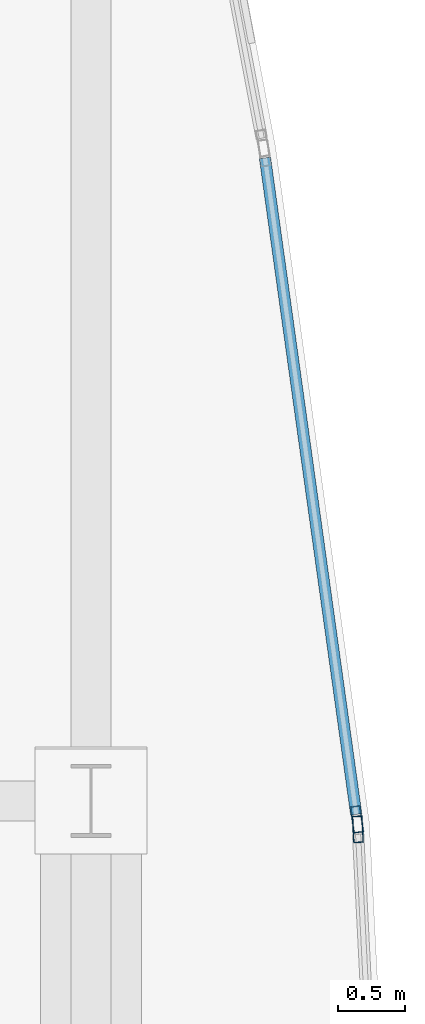
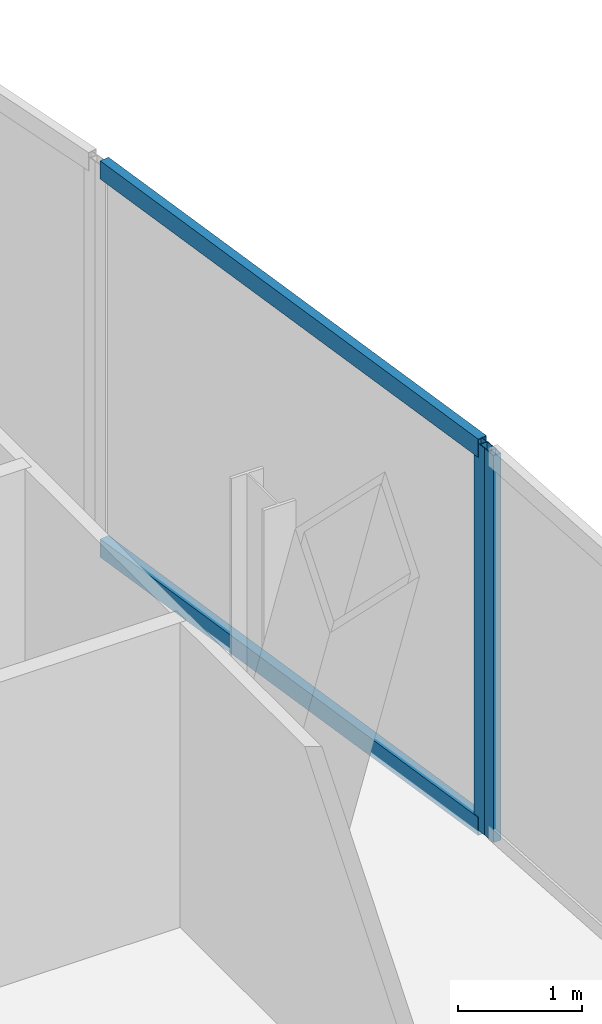
# One storey, part 25 of 37: 4 members, 2 elements without a shape of their own.
"""IFC4 building model written with IfcOpenShell, lengths in metres."""

from ifc_helpers import new_model, si_unit, direction, frame, origin, origin_2d, place, context, subcontext, project, spatial, hollow_rectangle, extrude, material, material_profile, profile_set, type_object, element, aggregate, save


model = new_model("IFC4")

# Units and contexts
model_context = context("Model", 3, precision=1e-05, world=origin(), true_north=direction((0.0, 1.0)))
body_context = subcontext(model_context, "Body", "Model", "MODEL_VIEW")
ifc_project = project(units=[si_unit("LENGTHUNIT", "METRE"), si_unit("AREAUNIT", "SQUARE_METRE"), si_unit("VOLUMEUNIT", "CUBIC_METRE"), si_unit("PLANEANGLEUNIT", "RADIAN"), si_unit("MASSUNIT", "GRAM", prefix="KILO")], contexts=[model_context])

# Site, building, storey
site_placement = place(None, origin())
site = spatial("IfcSite", under=ifc_project, at=site_placement, CompositionType="ELEMENT")
building_placement = place(site_placement, origin())
building = spatial("IfcBuilding", under=site, at=building_placement, Name="Khoronbel Lancet Exchange", CompositionType="ELEMENT")
storey_placement = place(building_placement, frame((0.0, 0.0, 61.800048828125)))
storey = spatial("IfcBuildingStorey", under=building, at=storey_placement, Name="L14", CompositionType="ELEMENT", Elevation=61.800048828125)

# Curtain wall, member
ifc_material_1 = material(Name="Low-E Solar Control Insulating Glass", Category="glass")
curtain_wall_type = type_object("IfcCurtainWallType", Name="CW-4", PredefinedType="NOTDEFINED", material=ifc_material_1)
curtain_wall_1_placement = place(storey_placement, origin())
curtain_wall_1 = element("IfcCurtainWall", 1, at=curtain_wall_1_placement, inside=storey, type_object=curtain_wall_type, Name="Unitised curtain wall CW-L14-E18", PredefinedType="NOTDEFINED")
ifc_material_2 = material(Name="Bronze-Anodised Aluminium 6063-T6", Category="aluminium")
ifc_material_profile_1 = material_profile(ifc_material_2, hollow_rectangle(XDim=0.074951171875, YDim=0.199951171875, WallThickness=0.0048828125, at=origin_2d()), Name="ALU MULLION 75x200")
ifc_profile_set_1 = profile_set([ifc_material_profile_1], Name="Bronze-Anodised Aluminium 6063-T6")
member_type_1 = type_object("IfcMemberType", Name="MEM-CWM2", PredefinedType="MULLION", material=ifc_profile_set_1)
member_1_placement = place(storey_placement, frame((73.626953125, 35.56201171875, 0.0), z_axis=(0.0, 0.0, 1.0), x_axis=(0.9904784605, 0.137667785939, 0.0)))
member_1 = element("IfcMember", 2, at=member_1_placement, type_object=member_type_1, Name="CW4 mullion 2", PredefinedType="MULLION", context=body_context, shape_type="SweptSolid", body=[
    extrude(hollow_rectangle(XDim=0.074951171875, YDim=0.199951171875, WallThickness=0.0048828125, at=origin_2d()), origin(), (0.0, 0.0, 1.0), 3.820068359375),
])

curtain_wall_2_placement = place(storey_placement, origin())
curtain_wall_2 = element("IfcCurtainWall", 3, at=curtain_wall_2_placement, inside=storey, type_object=curtain_wall_type, Name="Unitised curtain wall CW-L14-E19", PredefinedType="NOTDEFINED")
member_2_placement = place(storey_placement, frame((73.634033203125, 35.4873046875, 0.0), z_axis=(0.0, 0.0, 1.0), x_axis=(0.998708178713, 0.050813125988, 0.0)))
member_2 = element("IfcMember", 4, at=member_2_placement, type_object=member_type_1, Name="CW4 mullion 1", PredefinedType="MULLION", context=body_context, shape_type="SweptSolid", body=[
    extrude(hollow_rectangle(XDim=0.074951171875, YDim=0.199951171875, WallThickness=0.0048828125, at=origin_2d()), origin(), (0.0, 0.0, 1.0), 3.820068359375),
])
aggregate(curtain_wall_2, [member_2])

# Member
ifc_material_profile_2 = material_profile(ifc_material_2, hollow_rectangle(XDim=0.0849609375, YDim=0.179931640625, WallThickness=0.0048828125, at=origin_2d()), Name="ALU TRANSOM 85x180")
ifc_profile_set_2 = profile_set([ifc_material_profile_2], Name="Bronze-Anodised Aluminium 6063-T6")
member_type_2 = type_object("IfcMemberType", Name="MEM-CWT1", PredefinedType="USERDEFINED", material=ifc_profile_set_2)
member_3_placement = place(storey_placement, frame((72.936767578125, 40.52783203125, 0.04248046875), z_axis=(0.137669987202, -0.990478154541, 0.0), x_axis=(0.990478154541, 0.137669987202, 0.0)))
member_3 = element("IfcMember", 5, at=member_3_placement, type_object=member_type_2, Name="CW4 transom 1.1", ObjectType="TRANSOM", PredefinedType="USERDEFINED", context=body_context, shape_type="SweptSolid", body=[
    extrude(hollow_rectangle(XDim=0.0849609375, YDim=0.179931640625, WallThickness=0.0048828125, at=origin_2d()), origin(), (0.0, 0.0, 1.0), 4.97607421875),
])

member_4_placement = place(storey_placement, frame((72.936767578125, 40.52783203125, 3.77734375), z_axis=(0.137669987202, -0.990478154541, 0.0), x_axis=(0.990478154541, 0.137669987202, 0.0)))
member_4 = element("IfcMember", 6, at=member_4_placement, type_object=member_type_2, Name="CW4 transom 1.2", ObjectType="TRANSOM", PredefinedType="USERDEFINED", context=body_context, shape_type="SweptSolid", body=[
    extrude(hollow_rectangle(XDim=0.0849609375, YDim=0.179931640625, WallThickness=0.0048828125, at=origin_2d()), origin(), (0.0, 0.0, 1.0), 4.97607421875),
])

aggregate(curtain_wall_1, [member_1, member_3, member_4])

save(model, "model.ifc")
